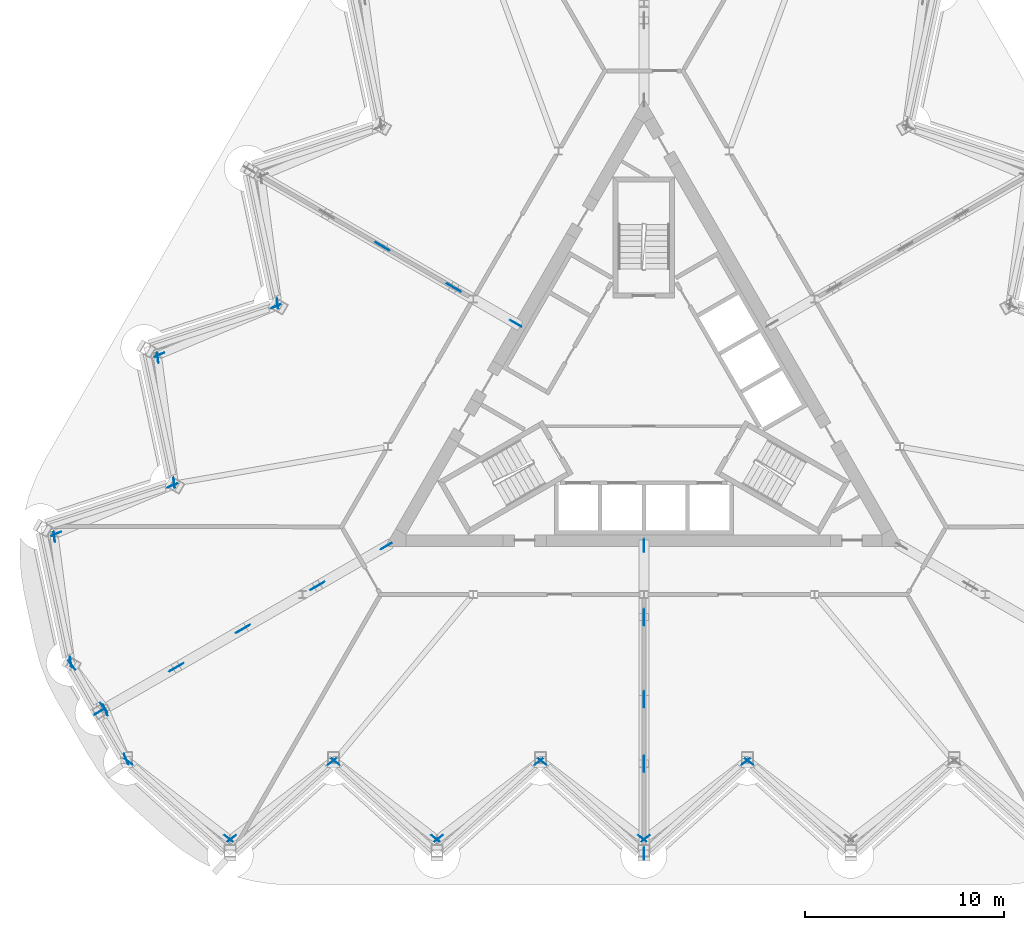
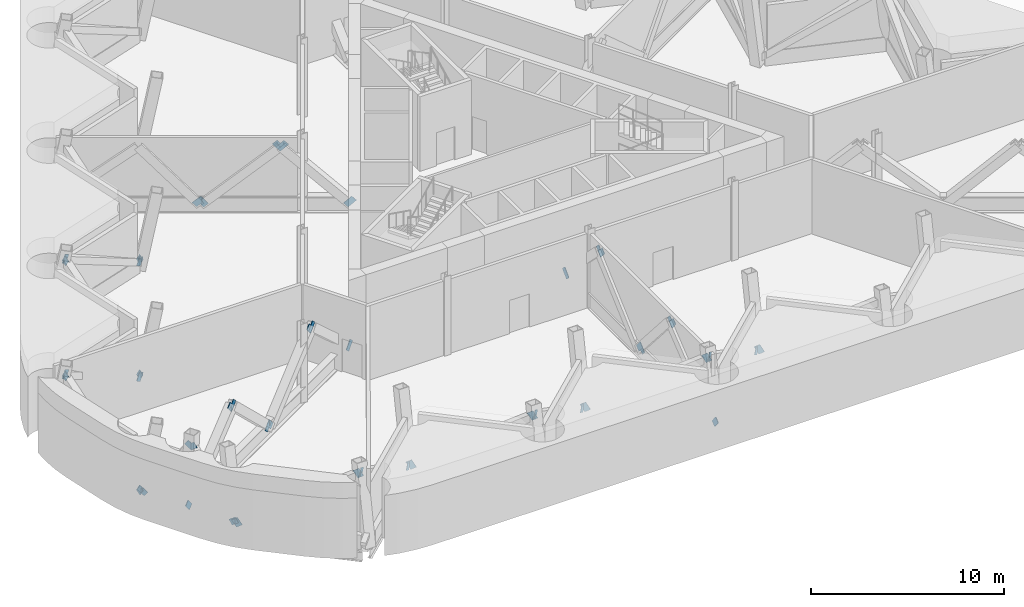
# One storey, part 10 of 16: 47 discrete accessories.
"""IFC4 building model written with IfcOpenShell, lengths in metres."""

from ifc_helpers import new_model, si_unit, direction, frame, origin, origin_2d, place, context, subcontext, project, spatial, rectangle, extrude, material, material_profile, profile_set, type_object, element, save


model = new_model("IFC4")

# Units and contexts
model_context = context("Model", 3, precision=1e-05, world=origin(), true_north=direction((0.0, 1.0)))
body_context = subcontext(model_context, "Body", "Model", "MODEL_VIEW")
ifc_project = project(units=[si_unit("LENGTHUNIT", "METRE"), si_unit("AREAUNIT", "SQUARE_METRE"), si_unit("VOLUMEUNIT", "CUBIC_METRE"), si_unit("PLANEANGLEUNIT", "RADIAN"), si_unit("MASSUNIT", "GRAM", prefix="KILO")], contexts=[model_context])

# Site, building, storey
site_placement = place(None, origin())
site = spatial("IfcSite", under=ifc_project, at=site_placement, CompositionType="ELEMENT")
building_placement = place(site_placement, origin())
building = spatial("IfcBuilding", under=site, at=building_placement, Name="Cormorant Prow Tower", CompositionType="ELEMENT")
storey_placement = place(building_placement, frame((0.0, 0.0, 356.0)))
storey = spatial("IfcBuildingStorey", under=building, at=storey_placement, Name="L79", CompositionType="ELEMENT", Elevation=356.0)

# Discrete accessories
ifc_material_1 = material(Name="Structural steel ASTM A500 Gr C", Category="steel")
ifc_material_profile_1 = material_profile(ifc_material_1, rectangle(XDim=0.031982421875, YDim=0.506103515625, at=origin_2d()), Name="Gusset plate 32x506")
ifc_profile_set_1 = profile_set([ifc_material_profile_1], Name="Structural steel ASTM A500 Gr C")
discrete_accessory_type_1 = type_object("IfcDiscreteAccessoryType", Name="Gusset plate 32x506", PredefinedType="BRACKET", material=ifc_profile_set_1)
for number, where, z_axis, x_axis, name in (
    (1, (-25.789794921875, -18.40185546875, 0.6005859375), (-0.686138249865, 0.526457701878, -0.50205237795), (-0.60873617864, -0.793372714942, 0.0), "Gusset plate GP2 L79.S00.g0"),
    (2, (-21.00537109375, -22.068115234375, 4.099365234375), (0.686390100472, -0.525953389996, 0.502236658882), (0.608228304128, 0.793762136952, 0.0), "Gusset plate GP2 L79.S00.g1"),
    (3, (-15.803466796875, -18.401611328125, 0.6005859375), (0.686390100472, 0.525953389996, -0.502236658882), (-0.608228304128, 0.793762136952, 0.0), "Gusset plate GP2 L79.S01.g0"),
    (4, (-20.593505859375, -22.068115234375, 4.099365234375), (-0.686390100472, -0.525953389996, 0.502236658882), (0.608228304128, -0.793762136952, 0.0), "Gusset plate GP2 L79.S01.g1"),
    (5, (-15.3916015625, -18.401611328125, 0.6005859375), (-0.686390100472, 0.525953389996, -0.502236658882), (-0.608228304128, -0.793762136952, 0.0), "Gusset plate GP2 L79.S02.g0"),
    (6, (-10.605712890625, -22.068115234375, 4.099365234375), (0.686390100472, -0.525953389996, 0.502236658882), (0.608228304128, 0.793762136952, 0.0), "Gusset plate GP2 L79.S02.g1"),
    (7, (-5.4052734375, -18.401611328125, 0.6005859375), (0.686758748442, 0.525701620635, -0.501996242516), (-0.607839029749, 0.794060270958, 0.0), "Gusset plate GP2 L79.S03.g0"),
    (8, (-10.193603515625, -22.068115234375, 4.099365234375), (-0.686758748442, -0.525701620635, 0.501996242516), (0.607839029749, -0.794060270958, 0.0), "Gusset plate GP2 L79.S03.g1"),
    (9, (-4.9931640625, -18.401611328125, 0.6005859375), (-0.686390100472, 0.525953389996, -0.502236658882), (-0.608228304128, -0.793762136952, 0.0), "Gusset plate GP2 L79.S04.g0"),
    (10, (-0.2060546875, -22.068115234375, 4.099365234375), (0.686758748442, -0.525701620635, 0.501996242516), (0.607839029749, 0.794060270958, 0.0), "Gusset plate GP2 L79.S04.g1"),
    (11, (4.9931640625, -18.401611328125, 0.6005859375), (0.686390100472, 0.525953389996, -0.502236658882), (-0.608228304128, 0.793762136952, 0.0), "Gusset plate GP2 L79.S05.g0"),
    (12, (0.2060546875, -22.068115234375, 4.099365234375), (-0.686758748442, -0.525701620635, 0.501996242516), (0.607839029749, -0.794060270958, 0.0), "Gusset plate GP2 L79.S05.g1"),
    (13, (5.4052734375, -18.401611328125, 0.6005859375), (-0.686758748442, 0.525701620635, -0.501996242516), (-0.607839029749, -0.794060270958, 0.0), "Gusset plate GP2 L79.S06.g0"),
    (14, (-18.432861328125, 4.876708984375, 0.6005859375), (0.112249754948, -0.857560239663, -0.501986481754), (0.991541872927, 0.129787188245, 0.0), "Gusset plate GP2 L79.WNW05.g0"),
    (15, (-18.638916015625, 4.519775390625, 0.6005859375), (0.798534760537, 0.331967289096, -0.502135395272), (-0.383870842914, 0.923386796505, 0.0), "Gusset plate GP2 L79.WNW06.g0"),
    (16, (-24.20849609375, 2.2060546875, 4.099365234375), (-0.798534760537, -0.331967289096, 0.502135395272), (0.383870842914, -0.923386796505, 0.0), "Gusset plate GP2 L79.WNW06.g1"),
):
    element("IfcDiscreteAccessory", number, at=place(storey_placement, frame(where, z_axis=z_axis, x_axis=x_axis)), inside=storey, type_object=discrete_accessory_type_1, Name=name, PredefinedType="BRACKET", context=body_context, shape_type="SweptSolid", body=[
        extrude(rectangle(XDim=0.031982421875, YDim=0.506103515625, at=origin_2d()), origin(), (0.0, 0.0, 1.0), 0.35009765625),
    ])
discrete_accessory_1_placement = place(storey_placement, frame((-23.632080078125, -4.128662109375, 0.6005859375), z_axis=(0.112316901317, -0.857375600736, -0.502286763653), x_axis=(0.991528277572, 0.129891011138, 0.0)))
element("IfcDiscreteAccessory", 17, at=discrete_accessory_1_placement, inside=storey, type_object=discrete_accessory_type_1, Name="Gusset plate GP2 L79.WNW07.g0", PredefinedType="BRACKET", context=body_context, shape_type="SweptSolid", body=[
    extrude(rectangle(XDim=0.031982421875, YDim=0.506103515625, at=origin_2d()), origin(), (0.0, 0.0, 1.0), 0.349853515625),
])
for number, where, z_axis, x_axis, name in (
    (18, (-24.414306640625, 1.84912109375, 4.099365234375), (-0.112249754948, 0.857560239663, 0.501986481754), (-0.991541872927, -0.129787188245, 0.0), "Gusset plate GP2 L79.WNW07.g1"),
    (19, (-23.838134765625, -4.4853515625, 0.6005859375), (0.798534760537, 0.331967289096, -0.502135395272), (-0.383870842914, 0.923386796505, 0.0), "Gusset plate GP2 L79.WNW08.g0"),
    (20, (-29.408203125, -6.80029296875, 4.099365234375), (-0.798534760537, -0.331967289096, 0.502135395272), (0.383870842914, -0.923386796505, 0.0), "Gusset plate GP2 L79.WNW08.g1"),
):
    element("IfcDiscreteAccessory", number, at=place(storey_placement, frame(where, z_axis=z_axis, x_axis=x_axis)), inside=storey, type_object=discrete_accessory_type_1, Name=name, PredefinedType="BRACKET", context=body_context, shape_type="SweptSolid", body=[
        extrude(rectangle(XDim=0.031982421875, YDim=0.506103515625, at=origin_2d()), origin(), (0.0, 0.0, 1.0), 0.35009765625),
    ])
discrete_accessory_2_placement = place(storey_placement, frame((-28.831298828125, -13.1337890625, 0.6005859375), z_axis=(0.112316901317, -0.857375600736, -0.502286763653), x_axis=(0.991528277572, 0.129891011138, 0.0)))
element("IfcDiscreteAccessory", 21, at=discrete_accessory_2_placement, inside=storey, type_object=discrete_accessory_type_1, Name="Gusset plate GP2 L79.WNW09.g0", PredefinedType="BRACKET", context=body_context, shape_type="SweptSolid", body=[
    extrude(rectangle(XDim=0.031982421875, YDim=0.506103515625, at=origin_2d()), origin(), (0.0, 0.0, 1.0), 0.349853515625),
])
for number, where, z_axis, x_axis, name in (
    (22, (-29.6142578125, -7.1572265625, 4.099365234375), (-0.112249754948, 0.857560239663, 0.501986481754), (-0.991541872927, -0.129787188245, 0.0), "Gusset plate GP2 L79.WNW09.g1"),
    (23, (-28.689697265625, -13.533935546875, 0.69091796875), (-0.359728564733, 0.476152344405, -0.802417786837), (-0.797892296128, -0.602800036313, 0.0), "Gusset plate GP2 L79.WSW00.g0"),
):
    element("IfcDiscreteAccessory", number, at=place(storey_placement, frame(where, z_axis=z_axis, x_axis=x_axis)), inside=storey, type_object=discrete_accessory_type_1, Name=name, PredefinedType="BRACKET", context=body_context, shape_type="SweptSolid", body=[
        extrude(rectangle(XDim=0.031982421875, YDim=0.506103515625, at=origin_2d()), origin(), (0.0, 0.0, 1.0), 0.35009765625),
    ])
discrete_accessory_3_placement = place(storey_placement, frame((-27.2041015625, -15.501220703125, 4.00927734375), z_axis=(0.360049463951, -0.475879330261, 0.802435820822), x_axis=(0.797467209399, 0.603362287463, 0.0)))
element("IfcDiscreteAccessory", 24, at=discrete_accessory_3_placement, inside=storey, type_object=discrete_accessory_type_1, Name="Gusset plate GP2 L79.WSW00.g1", PredefinedType="BRACKET", context=body_context, shape_type="SweptSolid", body=[
    extrude(rectangle(XDim=0.031982421875, YDim=0.506103515625, at=origin_2d()), origin(), (0.0, 0.0, 1.0), 0.349853515625),
])
for number, where, z_axis, x_axis, name in (
    (25, (-26.0654296875, -18.0791015625, 0.69091796875), (0.232201877997, -0.549474714298, -0.802595680403), (0.921128507037, 0.389258620359, 0.0), "Gusset plate GP2 L79.WSW01.g0"),
    (26, (-27.0263671875, -15.808837890625, 4.00927734375), (-0.232991755543, 0.549693123855, 0.802217122377), (-0.920709030831, -0.390249766875, 0.0), "Gusset plate GP2 L79.WSW01.g1"),
):
    element("IfcDiscreteAccessory", number, at=place(storey_placement, frame(where, z_axis=z_axis, x_axis=x_axis)), inside=storey, type_object=discrete_accessory_type_1, Name=name, PredefinedType="BRACKET", context=body_context, shape_type="SweptSolid", body=[
        extrude(rectangle(XDim=0.031982421875, YDim=0.506103515625, at=origin_2d()), origin(), (0.0, 0.0, 1.0), 0.35009765625),
    ])
ifc_material_2 = material(Name="Structural steel ASTM A500 Gr C", Category="steel")
ifc_material_profile_2 = material_profile(ifc_material_2, rectangle(XDim=0.031982421875, YDim=0.60791015625, at=origin_2d()), Name="Gusset plate 32x608")
ifc_profile_set_2 = profile_set([ifc_material_profile_2], Name="Structural steel ASTM A500 Gr C")
discrete_accessory_type_2 = type_object("IfcDiscreteAccessoryType", Name="Gusset plate 32x608", PredefinedType="BRACKET", material=ifc_profile_set_2)
discrete_accessory_4_placement = place(storey_placement, frame((-6.553466796875, 3.78369140625, 0.712646484375), z_axis=(0.610980878313, -0.352918178569, -0.708626224163), x_axis=(0.500178781653, 0.865922159541, 0.0)))
element("IfcDiscreteAccessory", 27, at=discrete_accessory_4_placement, inside=storey, type_object=discrete_accessory_type_2, Name="Gusset plate GP1 L79.03.1.g0", PredefinedType="BRACKET", context=body_context, shape_type="SweptSolid", body=[
    extrude(rectangle(XDim=0.031982421875, YDim=0.60791015625, at=origin_2d()), origin(), (0.0, 0.0, 1.0), 0.35009765625),
])
for number, where, z_axis, x_axis, name in (
    (28, (-9.37646484375, 5.41357421875, 3.9873046875), (-0.611131177293, 0.352307356773, 0.708800543527), (-0.499437036909, -0.866350186797, 0.0), "Gusset plate GP1 L79.03.1.g1"),
    (29, (-9.75341796875, 5.631103515625, 4.0), (0.646013093805, -0.37253886835, 0.666244605382), (0.499560470264, 0.866279017724, 0.0), "Gusset plate GP1 L79.03.2.g0"),
):
    element("IfcDiscreteAccessory", number, at=place(storey_placement, frame(where, z_axis=z_axis, x_axis=x_axis)), inside=storey, type_object=discrete_accessory_type_2, Name=name, PredefinedType="BRACKET", context=body_context, shape_type="SweptSolid", body=[
        extrude(rectangle(XDim=0.031982421875, YDim=0.60791015625, at=origin_2d()), origin(), (0.0, 0.0, 1.0), 0.349853515625),
    ])
for number, where, z_axis, x_axis, name in (
    (30, (-12.9541015625, 7.47900390625, 0.699951171875), (-0.645845105027, 0.373139450528, -0.666071355616), (-0.500262019077, -0.865874074141, 0.0), "Gusset plate GP1 L79.03.2.g1"),
    (31, (-13.318603515625, 7.689453125, 0.726318359375), (0.569051216736, -0.32845970966, -0.753853388837), (0.499906209203, 0.866079547155, 0.0), "Gusset plate GP1 L79.03.3.g0"),
    (32, (-13.062744140625, -7.541748046875, 0.701416015625), (0.642370319707, 0.370356829277, -0.670966609726), (-0.499478139485, 0.86632649052, 0.0), "Gusset plate GP1 L79.05.1.g0"),
    (33, (-16.218994140625, -9.364013671875, 3.99853515625), (-0.642204295271, -0.370958398571, 0.670793194409), (0.500183610261, -0.865919370396, 0.0), "Gusset plate GP1 L79.05.1.g1"),
    (34, (-16.609130859375, -9.58935546875, 4.004638671875), (0.65753604825, 0.380018182711, 0.650563237558), (-0.500384670376, 0.865803200302, 0.0), "Gusset plate GP1 L79.05.2.g0"),
    (35, (-19.953857421875, -11.520263671875, 0.6953125), (-0.65753604825, -0.380018182711, -0.650563237558), (0.500384670376, -0.865803200302, 0.0), "Gusset plate GP1 L79.05.2.g1"),
    (36, (-20.3388671875, -11.74267578125, 0.707763671875), (0.625425542431, 0.361171049029, -0.691663476134), (-0.500084574084, 0.865976569408, 0.0), "Gusset plate GP1 L79.05.3.g0"),
    (37, (-23.3076171875, -13.45654296875, 3.9921875), (-0.625000754183, -0.361328561012, 0.691965120702), (0.500502949238, -0.865734831114, 0.0), "Gusset plate GP1 L79.05.3.g1"),
    (38, (-23.69677734375, -13.681396484375, 4.010498046875), (0.671683032002, 0.387804533534, 0.631228602245), (-0.500007885066, 0.866020851292, 0.0), "Gusset plate GP1 L79.05.4.g0"),
    (39, (-27.230712890625, -15.7216796875, 0.689453125), (-0.671683032002, -0.387804533534, -0.631228602245), (0.500007885066, -0.866020851292, 0.0), "Gusset plate GP1 L79.05.4.g1"),
):
    element("IfcDiscreteAccessory", number, at=place(storey_placement, frame(where, z_axis=z_axis, x_axis=x_axis)), inside=storey, type_object=discrete_accessory_type_2, Name=name, PredefinedType="BRACKET", context=body_context, shape_type="SweptSolid", body=[
        extrude(rectangle(XDim=0.031982421875, YDim=0.60791015625, at=origin_2d()), origin(), (0.0, 0.0, 1.0), 0.35009765625),
    ])
discrete_accessory_5_placement = place(storey_placement, frame((0.0, -7.567138671875, 0.712646484375), z_axis=(0.0, 0.705360415286, -0.70884884464), x_axis=(-1.0, 0.0, 0.0)))
element("IfcDiscreteAccessory", 40, at=discrete_accessory_5_placement, inside=storey, type_object=discrete_accessory_type_2, Name="Gusset plate GP1 L79.07.1.g0", PredefinedType="BRACKET", context=body_context, shape_type="SweptSolid", body=[
    extrude(rectangle(XDim=0.031982421875, YDim=0.60791015625, at=origin_2d()), origin(), (0.0, 0.0, 1.0), 0.349853515625),
])
for number, where, z_axis, x_axis, name in (
    (41, (0.0, -10.826904296875, 3.9873046875), (0.0, -0.70571072054, 0.708500090977), (1.0, 0.0, 0.0), "Gusset plate GP1 L79.07.1.g1"),
    (42, (0.0, -11.262451171875, 4.0), (0.0, 0.746061363024, 0.665877197839), (-1.0, 0.0, 0.0), "Gusset plate GP1 L79.07.2.g0"),
    (43, (0.0, -14.9580078125, 0.699951171875), (0.0, -0.746061363024, -0.665877197839), (1.0, 0.0, 0.0), "Gusset plate GP1 L79.07.2.g1"),
    (44, (0.0, -15.37890625, 0.726318359375), (0.0, 0.656972618077, -0.753914437517), (-1.0, 0.0, 0.0), "Gusset plate GP1 L79.07.3.g0"),
):
    element("IfcDiscreteAccessory", number, at=place(storey_placement, frame(where, z_axis=z_axis, x_axis=x_axis)), inside=storey, type_object=discrete_accessory_type_2, Name=name, PredefinedType="BRACKET", context=body_context, shape_type="SweptSolid", body=[
        extrude(rectangle(XDim=0.031982421875, YDim=0.60791015625, at=origin_2d()), origin(), (0.0, 0.0, 1.0), 0.35009765625),
    ])
discrete_accessory_6_placement = place(storey_placement, frame((0.0, -18.207763671875, 3.9736328125), z_axis=(0.0, -0.656575939279, 0.754259925994), x_axis=(1.0, 0.0, 0.0)))
element("IfcDiscreteAccessory", 45, at=discrete_accessory_6_placement, inside=storey, type_object=discrete_accessory_type_2, Name="Gusset plate GP1 L79.07.3.g1", PredefinedType="BRACKET", context=body_context, shape_type="SweptSolid", body=[
    extrude(rectangle(XDim=0.031982421875, YDim=0.60791015625, at=origin_2d()), origin(), (0.0, 0.0, 1.0), 0.349853515625),
])
for number, where, z_axis, x_axis, name in (
    (46, (0.0, -18.638671875, 4.011962890625), (0.0, 0.779642685914, 0.626224626074), (-1.0, 0.0, 0.0), "Gusset plate GP1 L79.07.4.g0"),
    (47, (0.0, -22.774169921875, 0.68798828125), (0.0, -0.779642685914, -0.626224626074), (1.0, 0.0, 0.0), "Gusset plate GP1 L79.07.4.g1"),
):
    element("IfcDiscreteAccessory", number, at=place(storey_placement, frame(where, z_axis=z_axis, x_axis=x_axis)), inside=storey, type_object=discrete_accessory_type_2, Name=name, PredefinedType="BRACKET", context=body_context, shape_type="SweptSolid", body=[
        extrude(rectangle(XDim=0.031982421875, YDim=0.60791015625, at=origin_2d()), origin(), (0.0, 0.0, 1.0), 0.35009765625),
    ])

save(model, "model.ifc")
